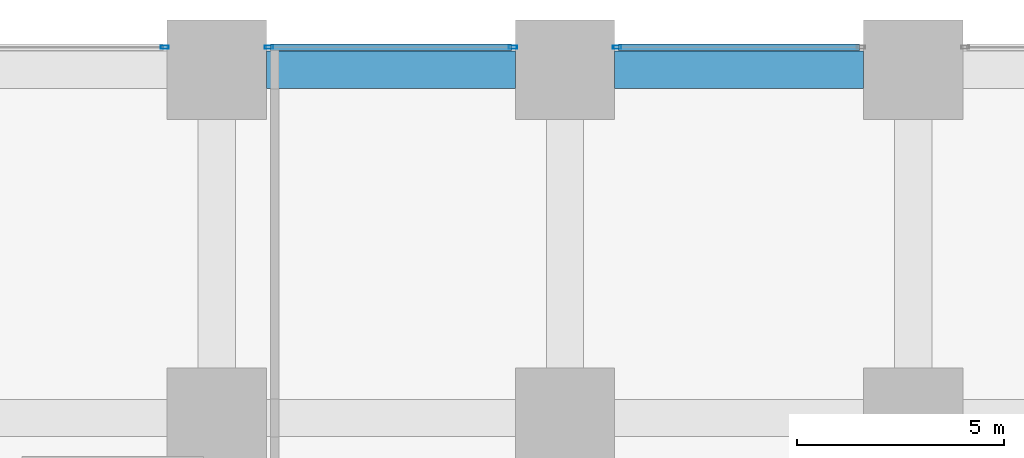
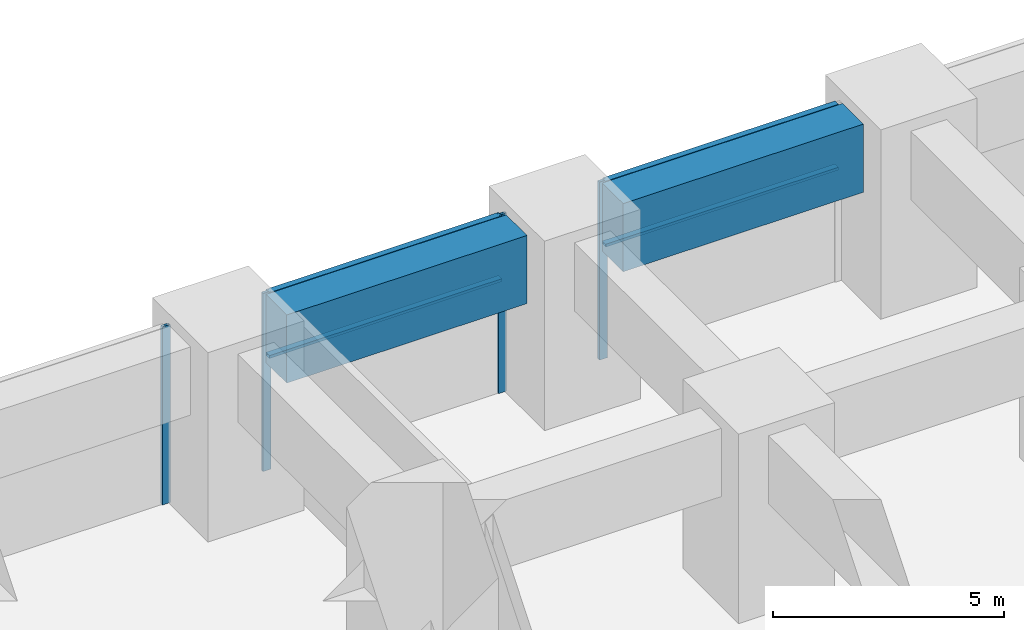
# One storey, part 29 of 48: 8 members, 2 beams, 3 elements without a shape of their own.
"""IFC4 building model written with IfcOpenShell, lengths in metres."""

from ifc_helpers import new_model, si_unit, direction, frame, origin, origin_2d, place, context, subcontext, project, spatial, rectangle, hollow_rectangle, extrude, material, material_profile, profile_set, type_object, element, aggregate, save


model = new_model("IFC4")

# Units and contexts
model_context = context("Model", 3, precision=1e-05, world=origin(), true_north=direction((0.0, 1.0)))
body_context = subcontext(model_context, "Body", "Model", "MODEL_VIEW")
ifc_project = project(units=[si_unit("LENGTHUNIT", "METRE"), si_unit("AREAUNIT", "SQUARE_METRE"), si_unit("VOLUMEUNIT", "CUBIC_METRE"), si_unit("PLANEANGLEUNIT", "RADIAN"), si_unit("MASSUNIT", "GRAM", prefix="KILO")], contexts=[model_context])

# Site, building, storey
site_placement = place(None, origin())
site = spatial("IfcSite", under=ifc_project, at=site_placement, CompositionType="ELEMENT")
building_placement = place(site_placement, origin())
building = spatial("IfcBuilding", under=site, at=building_placement, Name="Rekha Terrace Tower", CompositionType="ELEMENT")
storey_placement = place(building_placement, frame((0.0, 0.0, 15.39990234375)))
storey = spatial("IfcBuildingStorey", under=building, at=storey_placement, Name="L03", CompositionType="ELEMENT", Elevation=15.39990234375)

# Curtain wall, member
ifc_material_1 = material(Name="Aluminium framing", Category="aluminium")
curtain_wall_type = type_object("IfcCurtainWallType", Name="CW4 podium shopfront glazing", PredefinedType="USERDEFINED", material=ifc_material_1)
curtain_wall_1_placement = place(storey_placement, origin())
curtain_wall_1 = element("IfcCurtainWall", 1, at=curtain_wall_1_placement, inside=storey, type_object=curtain_wall_type, Name="CW4 shopfront curtain wall", ObjectType="SHOPFRONT CURTAIN WALL", PredefinedType="USERDEFINED")
ifc_material_2 = material(Name="Aluminium mullion section", Category="aluminium")
ifc_material_profile_1 = material_profile(ifc_material_2, hollow_rectangle(XDim=0.074951171875, YDim=0.199951171875, WallThickness=0.00390625, at=origin_2d()), Name="AL RHS 75x200")
ifc_profile_set_1 = profile_set([ifc_material_profile_1], Name="Aluminium mullion section")
member_type_1 = type_object("IfcMemberType", Name="CW4 mullion RHS 75 x 200", PredefinedType="MULLION", material=ifc_profile_set_1)
member_1_placement = place(storey_placement, frame((60.0576171875, 59.340087890625, 0.0), z_axis=(0.0, 0.0, 1.0), x_axis=(0.0, -1.0, 0.0)))
member_1 = element("IfcMember", 2, at=member_1_placement, type_object=member_type_1, Name="CW4 mullion 2", PredefinedType="MULLION", context=body_context, shape_type="SweptSolid", body=[
    extrude(hollow_rectangle(XDim=0.074951171875, YDim=0.199951171875, WallThickness=0.00390625, at=origin_2d()), origin(), (0.0, 0.0, 1.0), 4.7001953125),
])

# Curtain wall, members
curtain_wall_2_placement = place(storey_placement, origin())
curtain_wall_2 = element("IfcCurtainWall", 3, at=curtain_wall_2_placement, inside=storey, type_object=curtain_wall_type, Name="CW4 shopfront curtain wall", ObjectType="SHOPFRONT CURTAIN WALL", PredefinedType="USERDEFINED")
member_2_placement = place(storey_placement, frame((57.54248046875, 59.340087890625, 0.0), z_axis=(0.0, 0.0, 1.0), x_axis=(0.0, -1.0, 0.0)))
member_2 = element("IfcMember", 4, at=member_2_placement, type_object=member_type_1, Name="CW4 mullion 1", PredefinedType="MULLION", context=body_context, shape_type="SweptSolid", body=[
    extrude(hollow_rectangle(XDim=0.074951171875, YDim=0.199951171875, WallThickness=0.00390625, at=origin_2d()), origin(), (0.0, 0.0, 1.0), 4.7001953125),
])
member_3_placement = place(storey_placement, frame((51.657470703125, 59.340087890625, 0.0), z_axis=(0.0, 0.0, 1.0), x_axis=(0.0, -1.0, 0.0)))
member_3 = element("IfcMember", 5, at=member_3_placement, type_object=member_type_1, Name="CW4 mullion 2", PredefinedType="MULLION", context=body_context, shape_type="SweptSolid", body=[
    extrude(hollow_rectangle(XDim=0.074951171875, YDim=0.199951171875, WallThickness=0.00390625, at=origin_2d()), origin(), (0.0, 0.0, 1.0), 4.7001953125),
])

# Curtain wall, member
curtain_wall_3_placement = place(storey_placement, origin())
curtain_wall_3 = element("IfcCurtainWall", 6, at=curtain_wall_3_placement, inside=storey, type_object=curtain_wall_type, Name="CW4 shopfront curtain wall", ObjectType="SHOPFRONT CURTAIN WALL", PredefinedType="USERDEFINED")
member_4_placement = place(storey_placement, frame((49.142578125, 59.340087890625, 0.0), z_axis=(0.0, 0.0, 1.0), x_axis=(0.0, -1.0, 0.0)))
member_4 = element("IfcMember", 7, at=member_4_placement, type_object=member_type_1, Name="CW4 mullion 1", PredefinedType="MULLION", context=body_context, shape_type="SweptSolid", body=[
    extrude(hollow_rectangle(XDim=0.074951171875, YDim=0.199951171875, WallThickness=0.00390625, at=origin_2d()), origin(), (0.0, 0.0, 1.0), 4.7001953125),
])
aggregate(curtain_wall_3, [member_4])

# Member
ifc_material_3 = material(Name="Aluminium transom section", Category="aluminium")
ifc_material_profile_2 = material_profile(ifc_material_3, hollow_rectangle(XDim=0.14990234375, YDim=0.074951171875, WallThickness=0.0029296875, at=origin_2d()), Name="AL RHS 150x75")
ifc_profile_set_2 = profile_set([ifc_material_profile_2], Name="Aluminium transom section")
member_type_2 = type_object("IfcMemberType", Name="CW4 transom RHS 75 x 150", PredefinedType="USERDEFINED", material=ifc_profile_set_2)
member_5_placement = place(storey_placement, frame((65.905029296875, 59.340087890625, 3.0), z_axis=(-1.0, 0.0, 0.0), x_axis=(0.0, -1.0, 0.0)))
member_5 = element("IfcMember", 8, at=member_5_placement, type_object=member_type_2, Name="CW4 transom 1.2", ObjectType="TRANSOM", PredefinedType="USERDEFINED", context=body_context, shape_type="SweptSolid", body=[
    extrude(hollow_rectangle(XDim=0.14990234375, YDim=0.074951171875, WallThickness=0.0029296875, at=origin_2d()), origin(), (0.0, 0.0, 1.0), 5.81005859375),
])

member_6_placement = place(storey_placement, frame((65.905029296875, 59.340087890625, 4.66259765625), z_axis=(-1.0, 0.0, 0.0), x_axis=(0.0, -1.0, 0.0)))
member_6 = element("IfcMember", 9, at=member_6_placement, type_object=member_type_2, Name="CW4 transom 1.3", ObjectType="TRANSOM", PredefinedType="USERDEFINED", context=body_context, shape_type="SweptSolid", body=[
    extrude(hollow_rectangle(XDim=0.14990234375, YDim=0.074951171875, WallThickness=0.0029296875, at=origin_2d()), origin(), (0.0, 0.0, 1.0), 5.81005859375),
])

aggregate(curtain_wall_1, [member_1, member_5, member_6])

member_7_placement = place(storey_placement, frame((57.5048828125, 59.340087890625, 3.0), z_axis=(-1.0, 0.0, 0.0), x_axis=(0.0, -1.0, 0.0)))
member_7 = element("IfcMember", 10, at=member_7_placement, type_object=member_type_2, Name="CW4 transom 1.2", ObjectType="TRANSOM", PredefinedType="USERDEFINED", context=body_context, shape_type="SweptSolid", body=[
    extrude(hollow_rectangle(XDim=0.14990234375, YDim=0.074951171875, WallThickness=0.0029296875, at=origin_2d()), origin(), (0.0, 0.0, 1.0), 5.809814453125),
])

member_8_placement = place(storey_placement, frame((57.5048828125, 59.340087890625, 4.66259765625), z_axis=(-1.0, 0.0, 0.0), x_axis=(0.0, -1.0, 0.0)))
member_8 = element("IfcMember", 11, at=member_8_placement, type_object=member_type_2, Name="CW4 transom 1.3", ObjectType="TRANSOM", PredefinedType="USERDEFINED", context=body_context, shape_type="SweptSolid", body=[
    extrude(hollow_rectangle(XDim=0.14990234375, YDim=0.074951171875, WallThickness=0.0029296875, at=origin_2d()), origin(), (0.0, 0.0, 1.0), 5.809814453125),
])

aggregate(curtain_wall_2, [member_2, member_3, member_7, member_8])

# Beams
ifc_material_4 = material(Name="Concrete M60", Category="concrete")
ifc_material_profile_3 = material_profile(ifc_material_4, rectangle(XDim=0.89990234375, YDim=1.800048828125, at=origin_2d()), Name="RC 900x1800")
ifc_profile_set_3 = profile_set([ifc_material_profile_3], Name="Concrete M60")
beam_type = type_object("IfcBeamType", Name="G1 900x1800 podium floor beam", PredefinedType="BEAM", material=ifc_profile_set_3)
for number, where, z_axis, x_axis, name in (
    (12, (51.60009765625, 58.800048828125, 3.800048828125), (1.0, 0.0, 0.0), (0.0, 1.0, 0.0), "Beam G1 7H-8H under L04"),
    (13, (60.0, 58.800048828125, 3.800048828125), (1.0, 0.0, 0.0), (0.0, 1.0, 0.0), "Beam G1 8H-9H under L04"),
):
    element("IfcBeam", number, at=place(storey_placement, frame(where, z_axis=z_axis, x_axis=x_axis)), inside=storey, type_object=beam_type, Name=name, PredefinedType="BEAM", context=body_context, shape_type="SweptSolid", body=[
        extrude(rectangle(XDim=0.89990234375, YDim=1.800048828125, at=origin_2d()), origin(), (0.0, 0.0, 1.0), 6.0),
    ])

save(model, "model.ifc")
